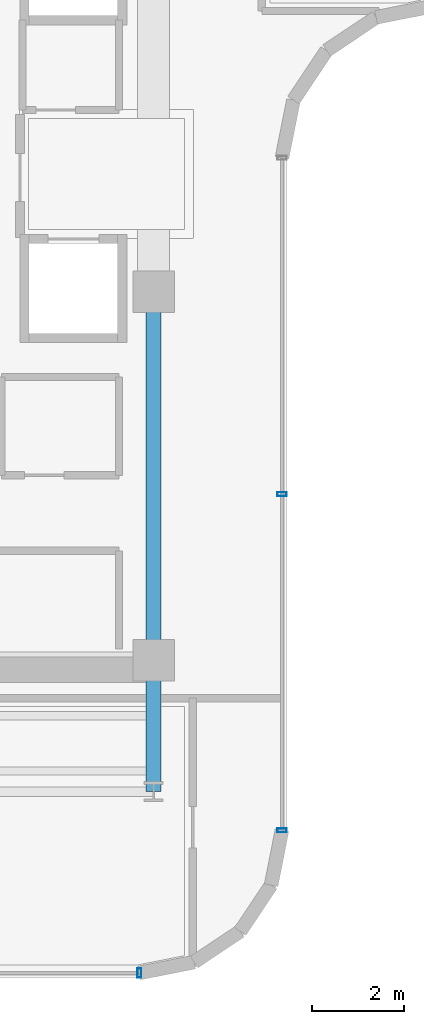
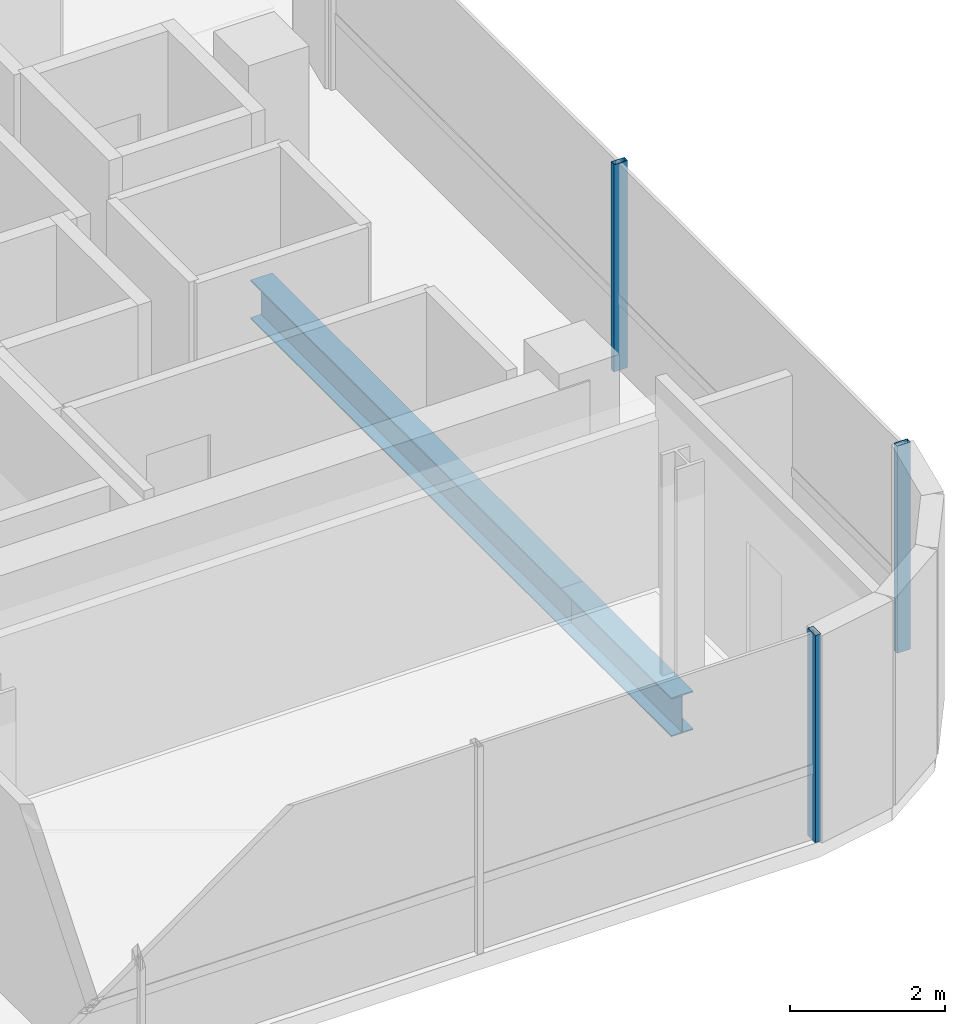
# One storey, part 6 of 21: 3 members, 2 beams, 2 elements without a shape of their own.
"""IFC4 building model written with IfcOpenShell, lengths in metres."""

from ifc_helpers import new_model, si_unit, direction, frame, origin, origin_2d, place, context, subcontext, project, spatial, hollow_rectangle, i_section, extrude, source, transform, mapped, material, material_profile, profile_set, type_object, element, aggregate, save


model = new_model("IFC4")

# Units and contexts
model_context = context("Model", 3, precision=1e-05, world=origin(), true_north=direction((0.0, 1.0)))
body_context = subcontext(model_context, "Body", "Model", "MODEL_VIEW")
ifc_project = project(units=[si_unit("LENGTHUNIT", "METRE"), si_unit("AREAUNIT", "SQUARE_METRE"), si_unit("VOLUMEUNIT", "CUBIC_METRE"), si_unit("PLANEANGLEUNIT", "RADIAN"), si_unit("MASSUNIT", "GRAM", prefix="KILO")], contexts=[model_context])

# Site, building, storey
site_placement = place(None, origin())
site = spatial("IfcSite", under=ifc_project, at=site_placement, CompositionType="ELEMENT")
building_placement = place(site_placement, origin())
building = spatial("IfcBuilding", under=site, at=building_placement, Name="Valdorenza Pilgrim Sanctuary Tower", CompositionType="ELEMENT")
storey_placement = place(building_placement, frame((0.0, 0.0, 219.5)))
storey = spatial("IfcBuildingStorey", under=building, at=storey_placement, Name="L56", CompositionType="ELEMENT", Elevation=219.5)

# Beams
ifc_material_1 = material(Name="Steel ASTM A992 Grade 50", Category="steel")
ifc_material_profile_1 = material_profile(ifc_material_1, i_section(OverallWidth=0.323974609375, OverallDepth=0.611083984375, WebThickness=0.0126953125, FlangeThickness=0.01904296875, at=origin_2d()), Name="W24X104")
ifc_profile_set_1 = profile_set([ifc_material_profile_1], Name="Steel ASTM A992 Grade 50")
beam_type = type_object("IfcBeamType", Name="STR-BM-GRD-W24B", PredefinedType="BEAM", material=ifc_profile_set_1)
shared_shape_1 = source(origin(), body_context, "Body", "SweptSolid", [
    extrude(i_section(OverallWidth=0.323974609375, OverallDepth=0.611083984375, WebThickness=0.0126953125, FlangeThickness=0.01904296875, at=origin_2d()), origin(), (0.0, 0.0, 1.0), 8.0),
])
beam_1_placement = place(storey_placement, frame((-12.39990234375, -10.60009765625, -0.54541015625), z_axis=(0.0, 1.0, 0.0), x_axis=(-1.0, 0.0, 0.0)))
element("IfcBeam", 1, at=beam_1_placement, inside=storey, type_object=beam_type, Name="L56 Core Tie Girder CA-E-S1M0", PredefinedType="BEAM", context=body_context, shape_type="MappedRepresentation", body=[
    mapped(shared_shape_1, transform((0.0, 0.0, 0.0), x_axis=(1.0, 0.0, 0.0), y_axis=(0.0, 1.0, 0.0), z_axis=(0.0, 0.0, 1.0), scale=1.0)),
])
shared_shape_2 = source(origin(), body_context, "Body", "SweptSolid", [
    extrude(i_section(OverallWidth=0.323974609375, OverallDepth=0.611083984375, WebThickness=0.0126953125, FlangeThickness=0.01904296875, at=origin_2d()), origin(), (0.0, 0.0, 1.0), 2.849853515625),
])
beam_2_placement = place(storey_placement, frame((-12.39990234375, -13.449951171875, -0.54541015625), z_axis=(0.0, 1.0, 0.0), x_axis=(-1.0, 0.0, 0.0)))
element("IfcBeam", 2, at=beam_2_placement, inside=storey, type_object=beam_type, Name="L56 Floor Girder WA-S-LE", PredefinedType="BEAM", context=body_context, shape_type="MappedRepresentation", body=[
    mapped(shared_shape_2, transform((0.0, 0.0, 0.0), x_axis=(1.0, 0.0, 0.0), y_axis=(0.0, 1.0, 0.0), z_axis=(0.0, 0.0, 1.0), scale=1.0)),
])

# Curtain wall, members
ifc_material_2 = material(Name="Curtain-wall IGU glazing", Category="glass")
curtain_wall_type = type_object("IfcCurtainWallType", Name="CW-SYS-02", PredefinedType="NOTDEFINED", material=ifc_material_2)
curtain_wall_1_placement = place(storey_placement, origin())
curtain_wall_1 = element("IfcCurtainWall", 3, at=curtain_wall_1_placement, inside=storey, type_object=curtain_wall_type, Name="L56 Curtain Wall CW-L56-1-21", PredefinedType="NOTDEFINED")
ifc_material_3 = material(Name="Anodised aluminium AW-6060", Category="aluminium")
ifc_material_profile_2 = material_profile(ifc_material_3, hollow_rectangle(XDim=0.0849609375, YDim=0.199951171875, WallThickness=0.0048828125, at=origin_2d()), Name="ALU-M 200x85x5")
ifc_profile_set_2 = profile_set([ifc_material_profile_2], Name="Anodised aluminium AW-6060")
member_type = type_object("IfcMemberType", Name="CW-MUL-02", PredefinedType="MULLION", material=ifc_profile_set_2)
shared_shape_3 = source(origin(), body_context, "Body", "SweptSolid", [
    extrude(hollow_rectangle(XDim=0.0849609375, YDim=0.199951171875, WallThickness=0.0048828125, at=origin_2d()), origin(), (0.0, 0.0, 1.0), 3.260009765625),
])
member_1_placement = place(storey_placement, frame((-9.610107421875, -6.9892578125, 0.0), z_axis=(0.0, 0.0, 1.0), x_axis=(0.0, -1.0, 0.0)))
member_1 = element("IfcMember", 4, at=member_1_placement, type_object=member_type, Name="CW-L56-1-21 Mullion 2", PredefinedType="MULLION", context=body_context, shape_type="MappedRepresentation", body=[
    mapped(shared_shape_3, transform((0.0, 0.0, 0.0), x_axis=(1.0, 0.0, 0.0), y_axis=(0.0, 1.0, 0.0), z_axis=(0.0, 0.0, 1.0), scale=1.0)),
])
member_2_placement = place(storey_placement, frame((-9.610107421875, -14.289306640625, 0.0), z_axis=(0.0, 0.0, 1.0), x_axis=(0.0, -1.0, 0.0)))
member_2 = element("IfcMember", 5, at=member_2_placement, type_object=member_type, Name="CW-L56-1-21 Mullion 3", PredefinedType="MULLION", context=body_context, shape_type="MappedRepresentation", body=[
    mapped(shared_shape_3, transform((0.0, 0.0, 0.0), x_axis=(1.0, 0.0, 0.0), y_axis=(0.0, 1.0, 0.0), z_axis=(0.0, 0.0, 1.0), scale=1.0)),
])
aggregate(curtain_wall_1, [member_1, member_2])

# Curtain wall, member
curtain_wall_2_placement = place(storey_placement, origin())
curtain_wall_2 = element("IfcCurtainWall", 6, at=curtain_wall_2_placement, inside=storey, type_object=curtain_wall_type, Name="L56 Curtain Wall CW-L56-1-26", PredefinedType="NOTDEFINED")
member_3_placement = place(storey_placement, frame((-12.710693359375, -17.389892578125, 0.0), z_axis=(0.0, 0.0, 1.0), x_axis=(-1.0, 0.0, 0.0)))
member_3 = element("IfcMember", 7, at=member_3_placement, type_object=member_type, Name="CW-L56-1-26 Mullion 1", PredefinedType="MULLION", context=body_context, shape_type="MappedRepresentation", body=[
    mapped(shared_shape_3, transform((0.0, 0.0, 0.0), x_axis=(1.0, 0.0, 0.0), y_axis=(0.0, 1.0, 0.0), z_axis=(0.0, 0.0, 1.0), scale=1.0)),
])
aggregate(curtain_wall_2, [member_3])

save(model, "model.ifc")
